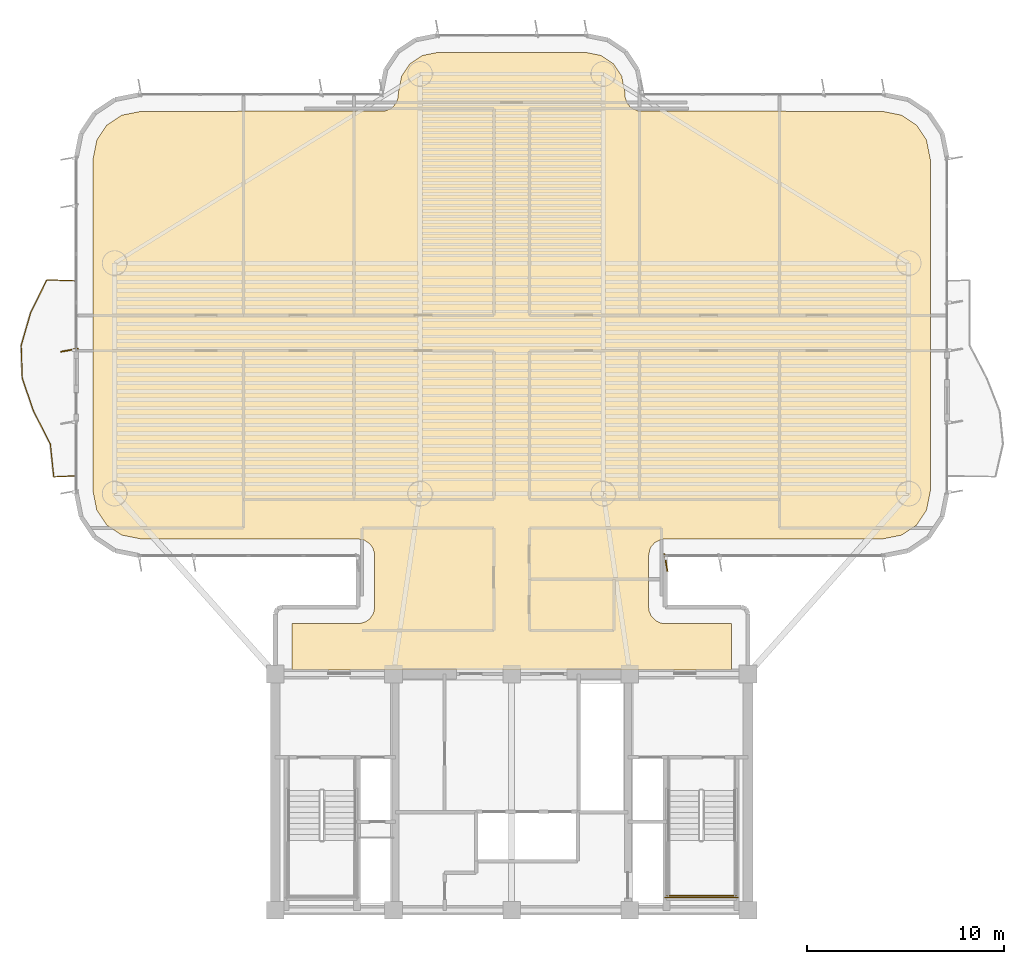
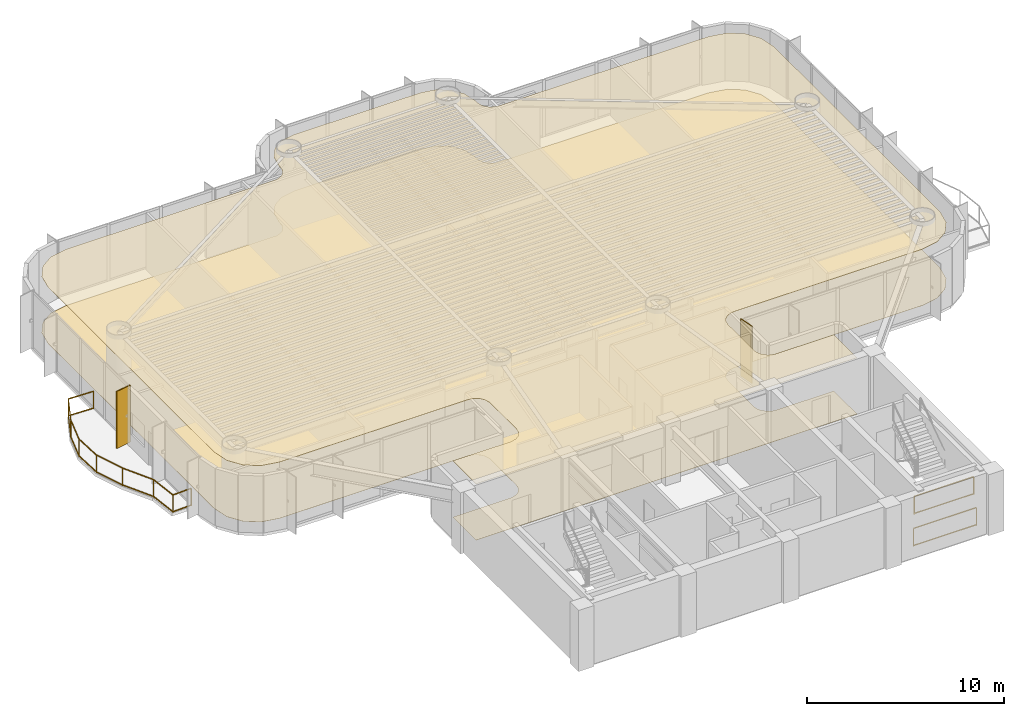
# One storey, part 14 of 16: 3 railings, 2 coverings, 2 shading devices.
"""IFC4 building model written with IfcOpenShell, lengths in metres."""

from ifc_helpers import new_model, si_unit, direction, frame, origin, origin_2d, place, context, subcontext, project, spatial, polyline, rectangle, outline, extrude, source, transform, mapped, material, layer, layer_set, material_profile, profile_set, type_object, element, save


model = new_model("IFC4")

# Units and contexts
model_context = context("Model", 3, precision=1e-05, world=origin(), true_north=direction((0.0, 1.0)))
body_context = subcontext(model_context, "Body", "Model", "MODEL_VIEW")
ifc_project = project(units=[si_unit("LENGTHUNIT", "METRE"), si_unit("AREAUNIT", "SQUARE_METRE"), si_unit("VOLUMEUNIT", "CUBIC_METRE"), si_unit("PLANEANGLEUNIT", "RADIAN"), si_unit("MASSUNIT", "GRAM", prefix="KILO")], contexts=[model_context])

# Site, building, storey
site_placement = place(None, origin())
site = spatial("IfcSite", under=ifc_project, at=site_placement, CompositionType="ELEMENT")
building_placement = place(site_placement, origin())
building = spatial("IfcBuilding", under=site, at=building_placement, Name="Brelvock Crest Care Tower", CompositionType="ELEMENT")
storey_placement = place(building_placement, frame((0.0, 0.0, 123.840087890625)))
storey = spatial("IfcBuildingStorey", under=building, at=storey_placement, Name="L31", CompositionType="ELEMENT", Elevation=123.840087890625)

# Coverings
ifc_material_1 = material(Name="Mineral Fibre Acoustic Ceiling Tile", Category="gypsum")
ifc_layer_1 = layer(ifc_material_1, 0.02490234375, Name="COV-CLG1")
ifc_layer_set_1 = layer_set([ifc_layer_1], Name="Mineral Fibre Acoustic Ceiling Tile")
covering_type_1 = type_object("IfcCoveringType", Name="COV-CLG1", PredefinedType="CEILING", material=ifc_layer_set_1)
covering_1_placement = place(storey_placement, frame((0.0, 0.0, 3.474853515625)))
element("IfcCovering", 1, at=covering_1_placement, inside=storey, type_object=covering_type_1, Name="L31 Acoustic Suspended Ceiling 1", PredefinedType="CEILING", context=body_context, shape_type="SweptSolid", body=[
    extrude(outline(polyline([(24.85009765625, 18.199951171875), (47.14990234375, 18.199951171875), (47.14990234375, 20.550048828125), (43.716796875, 20.55419921875), (43.55322265625, 20.586669921875), (43.327880859375, 20.693359375), (43.09326171875, 20.927734375), (42.986572265625, 21.1533203125), (42.949951171875, 21.39990234375), (42.949951171875, 24.0), (43.0146484375, 24.3251953125), (43.09326171875, 24.47216796875), (43.2607421875, 24.656982421875), (43.55322265625, 24.8134765625), (43.800048828125, 24.85009765625), (54.81640625, 24.85009765625), (55.79296875, 25.044189453125), (56.5498046875, 25.550048828125), (57.0556640625, 26.30712890625), (57.25, 27.28369140625), (57.25, 44.1162109375), (57.0556640625, 45.093017578125), (56.5498046875, 45.849853515625), (55.79296875, 46.355712890625), (54.81640625, 46.550048828125), (42.43408203125, 46.56640625), (42.127685546875, 46.693359375), (41.9990234375, 46.799072265625), (41.850341796875, 46.999267578125), (41.766357421875, 47.234130859375), (41.75, 47.516357421875), (41.586181640625, 48.33984375), (41.1669921875, 48.967041015625), (40.539794921875, 49.38623046875), (39.71630859375, 49.550048828125), (32.28369140625, 49.550048828125), (31.460205078125, 49.38623046875), (30.8330078125, 48.967041015625), (30.413818359375, 48.33984375), (30.25, 47.516357421875), (30.233642578125, 47.234130859375), (30.149658203125, 46.999267578125), (30.0009765625, 46.799072265625), (29.872314453125, 46.693359375), (29.56591796875, 46.56640625), (17.18359375, 46.550048828125), (16.20703125, 46.355712890625), (15.4501953125, 45.849853515625), (14.9443359375, 45.093017578125), (14.75, 44.1162109375), (14.75, 27.28369140625), (14.9443359375, 26.30712890625), (15.4501953125, 25.550048828125), (16.20703125, 25.044189453125), (17.18359375, 24.85009765625), (28.199951171875, 24.85009765625), (28.525390625, 24.785400390625), (28.801025390625, 24.60107421875), (28.94970703125, 24.400634765625), (29.0458984375, 24.083251953125), (29.050048828125, 21.39990234375), (28.9853515625, 21.07470703125), (28.801025390625, 20.799072265625), (28.6005859375, 20.650390625), (28.283203125, 20.55419921875), (24.85009765625, 20.550048828125), (24.85009765625, 18.199951171875)])), origin(), (0.0, 0.0, 1.0), 0.025146484375),
])
ifc_material_2 = material(Name="Slip-Resistant Acoustic Vinyl Flooring", Category="finish")
ifc_layer_2 = layer(ifc_material_2, 0.014892578125, Name="COV-FLR1")
ifc_layer_set_2 = layer_set([ifc_layer_2], Name="Slip-Resistant Acoustic Vinyl Flooring")
covering_type_2 = type_object("IfcCoveringType", Name="COV-FLR1", PredefinedType="FLOORING", material=ifc_layer_set_2)
covering_2_placement = place(storey_placement, origin())
element("IfcCovering", 2, at=covering_2_placement, inside=storey, type_object=covering_type_2, Name="L31 Slip-Resistant Acoustic Flooring 1", PredefinedType="FLOORING", context=body_context, shape_type="SweptSolid", body=[
    extrude(outline(polyline([(24.85009765625, 18.199951171875), (47.14990234375, 18.199951171875), (47.14990234375, 20.550048828125), (43.716796875, 20.55419921875), (43.55322265625, 20.586669921875), (43.327880859375, 20.693359375), (43.09326171875, 20.927734375), (42.986572265625, 21.1533203125), (42.949951171875, 21.39990234375), (42.949951171875, 24.0), (43.0146484375, 24.3251953125), (43.09326171875, 24.47216796875), (43.2607421875, 24.656982421875), (43.55322265625, 24.8134765625), (43.800048828125, 24.85009765625), (54.81640625, 24.85009765625), (55.79296875, 25.044189453125), (56.5498046875, 25.550048828125), (57.0556640625, 26.30712890625), (57.25, 27.28369140625), (57.25, 44.1162109375), (57.0556640625, 45.093017578125), (56.5498046875, 45.849853515625), (55.79296875, 46.355712890625), (54.81640625, 46.550048828125), (42.43408203125, 46.56640625), (42.127685546875, 46.693359375), (41.9990234375, 46.799072265625), (41.850341796875, 46.999267578125), (41.766357421875, 47.234130859375), (41.75, 47.516357421875), (41.586181640625, 48.33984375), (41.1669921875, 48.967041015625), (40.539794921875, 49.38623046875), (39.71630859375, 49.550048828125), (32.28369140625, 49.550048828125), (31.460205078125, 49.38623046875), (30.8330078125, 48.967041015625), (30.413818359375, 48.33984375), (30.25, 47.516357421875), (30.233642578125, 47.234130859375), (30.149658203125, 46.999267578125), (30.0009765625, 46.799072265625), (29.872314453125, 46.693359375), (29.56591796875, 46.56640625), (17.18359375, 46.550048828125), (16.20703125, 46.355712890625), (15.4501953125, 45.849853515625), (14.9443359375, 45.093017578125), (14.75, 44.1162109375), (14.75, 27.28369140625), (14.9443359375, 26.30712890625), (15.4501953125, 25.550048828125), (16.20703125, 25.044189453125), (17.18359375, 24.85009765625), (28.199951171875, 24.85009765625), (28.525390625, 24.785400390625), (28.801025390625, 24.60107421875), (28.94970703125, 24.400634765625), (29.0458984375, 24.083251953125), (29.050048828125, 21.39990234375), (28.9853515625, 21.07470703125), (28.801025390625, 20.799072265625), (28.6005859375, 20.650390625), (28.283203125, 20.55419921875), (24.85009765625, 20.550048828125), (24.85009765625, 18.199951171875)])), origin(), (0.0, 0.0, 1.0), 0.014892578125),
])

# Railings
ifc_material_3 = material(Name="Dark Glass Double Glazed Low-E", Category="glass")
ifc_layer_3 = layer(ifc_material_3, 0.06005859375, Name="RL-BAL1")
ifc_layer_set_3 = layer_set([ifc_layer_3], Name="Dark Glass Double Glazed Low-E")
railing_type_1 = type_object("IfcRailingType", Name="RL-BAL1", PredefinedType="BALUSTRADE", material=ifc_layer_set_3)
railing_1_placement = place(storey_placement, frame((13.860107421875, 28.050048828125, 0.00390625)))
element("IfcRailing", 3, at=railing_1_placement, inside=storey, type_object=railing_type_1, Name="L31 Safety Balustrade WB-W", PredefinedType="BALUSTRADE", context=body_context, shape_type="SweptSolid", body=[
    extrude(rectangle(XDim=0.048095703125, YDim=0.048095703125, at=origin_2d()), frame((-0.001953125, 0.0, 1.09619140625), z_axis=(-0.998966710972, -0.045447886318, 0.0), x_axis=(0.045447886318, -0.998966710972, 0.0)), (0.0, 0.0, 1.0), 1.09716796875),
    extrude(rectangle(XDim=0.048095703125, YDim=0.048095703125, at=origin_2d()), frame((-0.001953125, 0.0, 0.054931640625), z_axis=(-0.998966710972, -0.045447886318, 0.0), x_axis=(0.045447886318, -0.998966710972, 0.0)), (0.0, 0.0, 1.0), 1.09716796875),
    extrude(rectangle(XDim=0.048095703125, YDim=0.048095703125, at=origin_2d()), frame((-1.100341796875, -0.048095703125, 1.09619140625), z_axis=(-0.103729188721, 0.994605577808, 0.0), x_axis=(-0.994605577808, -0.103729188721, 0.0)), (0.0, 0.0, 1.0), 1.671875),
    extrude(rectangle(XDim=0.048095703125, YDim=0.048095703125, at=origin_2d()), frame((-1.100341796875, -0.048095703125, 0.054931640625), z_axis=(-0.103729188721, 0.994605577808, 0.0), x_axis=(-0.994605577808, -0.103729188721, 0.0)), (0.0, 0.0, 1.0), 1.671875),
    extrude(rectangle(XDim=0.048095703125, YDim=0.048095703125, at=origin_2d()), frame((-1.27490234375, 1.618408203125, 1.09619140625), z_axis=(-0.454816788854, 0.890585026023, 0.0), x_axis=(-0.890585026023, -0.454816788854, 0.0)), (0.0, 0.0, 1.0), 1.8671875),
    extrude(rectangle(XDim=0.048095703125, YDim=0.048095703125, at=origin_2d()), frame((-1.27490234375, 1.618408203125, 0.054931640625), z_axis=(-0.454816788854, 0.890585026023, 0.0), x_axis=(-0.890585026023, -0.454816788854, 0.0)), (0.0, 0.0, 1.0), 1.8671875),
    extrude(rectangle(XDim=0.048095703125, YDim=0.048095703125, at=origin_2d()), frame((-2.125732421875, 3.28515625, 1.09619140625), z_axis=(-0.324735154132, 0.945804990297, 0.0), x_axis=(-0.945804990297, -0.324735154132, 0.0)), (0.0, 0.0, 1.0), 1.75830078125),
    extrude(rectangle(XDim=0.048095703125, YDim=0.048095703125, at=origin_2d()), frame((-2.125732421875, 3.28515625, 0.054931640625), z_axis=(-0.324735154132, 0.945804990297, 0.0), x_axis=(-0.945804990297, -0.324735154132, 0.0)), (0.0, 0.0, 1.0), 1.75830078125),
    extrude(rectangle(XDim=0.048095703125, YDim=0.048095703125, at=origin_2d()), frame((-2.697265625, 4.951904296875, 1.09619140625), z_axis=(-0.034109333385, 0.999418107388, 0.0), x_axis=(-0.999418107388, -0.034109333385, 0.0)), (0.0, 0.0, 1.0), 1.663818359375),
    extrude(rectangle(XDim=0.048095703125, YDim=0.048095703125, at=origin_2d()), frame((-2.697265625, 4.951904296875, 0.054931640625), z_axis=(-0.034109333385, 0.999418107388, 0.0), x_axis=(-0.999418107388, -0.034109333385, 0.0)), (0.0, 0.0, 1.0), 1.663818359375),
    extrude(rectangle(XDim=0.048095703125, YDim=0.048095703125, at=origin_2d()), frame((-2.753662109375, 6.61865234375, 1.09619140625), z_axis=(0.277935062116, 0.960599865317, 0.0), x_axis=(-0.960599865317, 0.277935062116, 0.0)), (0.0, 0.0, 1.0), 1.73095703125),
    extrude(rectangle(XDim=0.048095703125, YDim=0.048095703125, at=origin_2d()), frame((-2.753662109375, 6.61865234375, 0.054931640625), z_axis=(0.277935062116, 0.960599865317, 0.0), x_axis=(-0.960599865317, 0.277935062116, 0.0)), (0.0, 0.0, 1.0), 1.73095703125),
    extrude(rectangle(XDim=0.048095703125, YDim=0.048095703125, at=origin_2d()), frame((-2.27099609375, 8.284912109375, 1.09619140625), z_axis=(0.442214310765, 0.896909417586, 0.0), x_axis=(-0.896909417586, 0.442214310765, 0.0)), (0.0, 0.0, 1.0), 1.854248046875),
    extrude(rectangle(XDim=0.048095703125, YDim=0.048095703125, at=origin_2d()), frame((-2.27099609375, 8.284912109375, 0.054931640625), z_axis=(0.442214310765, 0.896909417586, 0.0), x_axis=(-0.896909417586, 0.442214310765, 0.0)), (0.0, 0.0, 1.0), 1.854248046875),
    extrude(rectangle(XDim=0.048095703125, YDim=0.048095703125, at=origin_2d()), frame((-1.4482421875, 9.949951171875, 1.09619140625), z_axis=(0.999404999824, -0.034491249994, 0.0), x_axis=(0.034491249994, 0.999404999824, 0.0)), (0.0, 0.0, 1.0), 1.447021484375),
    extrude(rectangle(XDim=0.048095703125, YDim=0.048095703125, at=origin_2d()), frame((-1.4482421875, 9.949951171875, 0.054931640625), z_axis=(0.999404999824, -0.034491249994, 0.0), x_axis=(0.034491249994, 0.999404999824, 0.0)), (0.0, 0.0, 1.0), 1.447021484375),
    extrude(rectangle(XDim=0.0419921875, YDim=0.0419921875, at=origin_2d()), origin(), (0.0, 0.0, 1.0), 1.070068359375),
    extrude(rectangle(XDim=0.0419921875, YDim=0.0419921875, at=origin_2d()), frame((-1.10009765625, -0.050048828125, 0.0)), (0.0, 0.0, 1.0), 1.070068359375),
    extrude(rectangle(XDim=0.0419921875, YDim=0.0419921875, at=origin_2d()), frame((-1.27392578125, 1.61669921875, 0.0)), (0.0, 0.0, 1.0), 1.070068359375),
    extrude(rectangle(XDim=0.0419921875, YDim=0.0419921875, at=origin_2d()), frame((-2.125, 3.283203125, 0.0)), (0.0, 0.0, 1.0), 1.070068359375),
    extrude(rectangle(XDim=0.0419921875, YDim=0.0419921875, at=origin_2d()), frame((-2.697265625, 4.949951171875, 0.0)), (0.0, 0.0, 1.0), 1.070068359375),
    extrude(rectangle(XDim=0.0419921875, YDim=0.0419921875, at=origin_2d()), frame((-2.754150390625, 6.61669921875, 0.0)), (0.0, 0.0, 1.0), 1.070068359375),
    extrude(rectangle(XDim=0.0419921875, YDim=0.0419921875, at=origin_2d()), frame((-2.27197265625, 8.283203125, 0.0)), (0.0, 0.0, 1.0), 1.070068359375),
    extrude(rectangle(XDim=0.0419921875, YDim=0.0419921875, at=origin_2d()), frame((-1.4501953125, 9.949951171875, 0.0)), (0.0, 0.0, 1.0), 1.070068359375),
    extrude(rectangle(XDim=0.0419921875, YDim=0.0419921875, at=origin_2d()), frame((0.0, 9.89990234375, 0.0)), (0.0, 0.0, 1.0), 1.070068359375),
])
ifc_material_4 = material(Name="Steel Grade 350", Category="steel")
ifc_layer_4 = layer(ifc_material_4, 0.050048828125, Name="RL-STG1")
ifc_layer_set_4 = layer_set([ifc_layer_4], Name="Steel Grade 350")
railing_type_2 = type_object("IfcRailingType", Name="RL-STG1", PredefinedType="GUARDRAIL", material=ifc_layer_set_4)
railing_2_placement = place(storey_placement, frame((43.889892578125, 6.75, 1.889892578125)))
element("IfcRailing", 4, at=railing_2_placement, inside=storey, type_object=railing_type_2, Name="L31 ST-2 stair guard 5", PredefinedType="GUARDRAIL", context=body_context, shape_type="SweptSolid", body=[
    extrude(rectangle(XDim=0.048095703125, YDim=0.048095703125, at=origin_2d()), frame((0.001953125, 0.0, 1.11572265625), z_axis=(1.0, 0.0, 0.0), x_axis=(0.0, 1.0, 0.0)), (0.0, 0.0, 1.0), 3.476318359375),
    extrude(rectangle(XDim=0.048095703125, YDim=0.048095703125, at=origin_2d()), frame((0.001953125, 0.0, 0.054931640625), z_axis=(1.0, 0.0, 0.0), x_axis=(0.0, 1.0, 0.0)), (0.0, 0.0, 1.0), 3.476318359375),
    extrude(rectangle(XDim=0.0419921875, YDim=0.0419921875, at=origin_2d()), origin(), (0.0, 0.0, 1.0), 1.08984375),
    extrude(rectangle(XDim=0.0419921875, YDim=0.0419921875, at=origin_2d()), frame((3.480224609375, 0.0, 0.0)), (0.0, 0.0, 1.0), 1.08984375),
])
railing_3_placement = place(storey_placement, frame((43.7900390625, 6.64990234375, 0.0)))
element("IfcRailing", 5, at=railing_3_placement, inside=storey, type_object=railing_type_2, Name="L31 ST-2 stair guard 12", PredefinedType="GUARDRAIL", context=body_context, shape_type="SweptSolid", body=[
    extrude(rectangle(XDim=0.048095703125, YDim=0.048095703125, at=origin_2d()), frame((0.001953125, 0.0, 1.11572265625), z_axis=(1.0, 0.0, 0.0), x_axis=(0.0, 1.0, 0.0)), (0.0, 0.0, 1.0), 3.676025390625),
    extrude(rectangle(XDim=0.048095703125, YDim=0.048095703125, at=origin_2d()), frame((0.001953125, 0.0, 0.054931640625), z_axis=(1.0, 0.0, 0.0), x_axis=(0.0, 1.0, 0.0)), (0.0, 0.0, 1.0), 3.676025390625),
    extrude(rectangle(XDim=0.0419921875, YDim=0.0419921875, at=origin_2d()), origin(), (0.0, 0.0, 1.0), 1.08984375),
    extrude(rectangle(XDim=0.0419921875, YDim=0.0419921875, at=origin_2d()), frame((3.679931640625, 0.0, 0.0)), (0.0, 0.0, 1.0), 1.08984375),
])

# Shading devices
ifc_material_5 = material(Name="Aluminium 6063-T6", Category="aluminium")
ifc_material_profile = material_profile(ifc_material_5, rectangle(XDim=0.054931640625, YDim=0.89990234375, at=origin_2d()), Name="FIN55x900")
ifc_profile_set = profile_set([ifc_material_profile], Name="Aluminium 6063-T6")
shading_device_type = type_object("IfcShadingDeviceType", Name="SHD-FIN1", PredefinedType="USERDEFINED", material=ifc_profile_set)
shared_shape = source(origin(), body_context, "Body", "SweptSolid", [
    extrude(rectangle(XDim=0.054931640625, YDim=0.89990234375, at=origin_2d()), origin(), (0.0, 0.0, 1.0), 3.530029296875),
])
for number, where, z_axis, x_axis, name in (
    (6, (13.56005859375, 34.429931640625, 0.0), (0.0, 0.0, 1.0), (-0.173648177667, 0.984807753012, 0.0), "L31 Vertical Sunshade Fin E17B-01"),
    (7, (43.830078125, 23.659912109375, 0.0), (0.0, 0.0, 1.0), (-0.984807753012, -0.173648177667, 0.0), "L31 Vertical Sunshade Fin E44-05"),
):
    element("IfcShadingDevice", number, at=place(storey_placement, frame(where, z_axis=z_axis, x_axis=x_axis)), inside=storey, type_object=shading_device_type, Name=name, ObjectType="FIN", PredefinedType="USERDEFINED", context=body_context, shape_type="MappedRepresentation", body=[
        mapped(shared_shape, transform((0.0, 0.0, 0.0), x_axis=(1.0, 0.0, 0.0), y_axis=(0.0, 1.0, 0.0), z_axis=(0.0, 0.0, 1.0), scale=1.0)),
    ])

save(model, "model.ifc")
